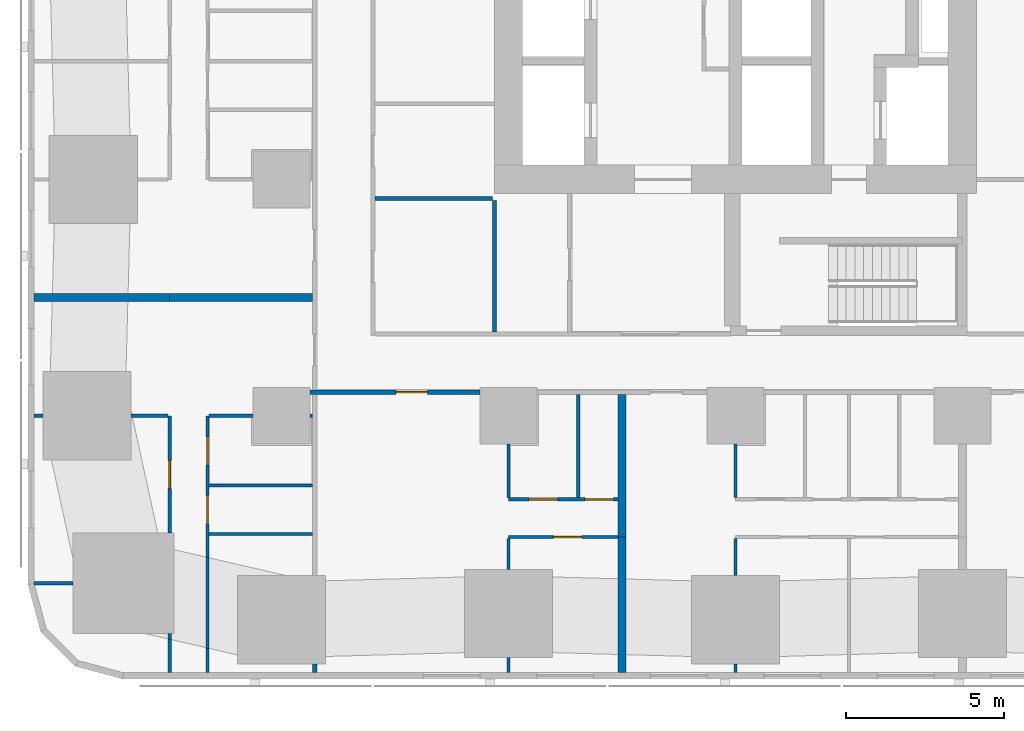
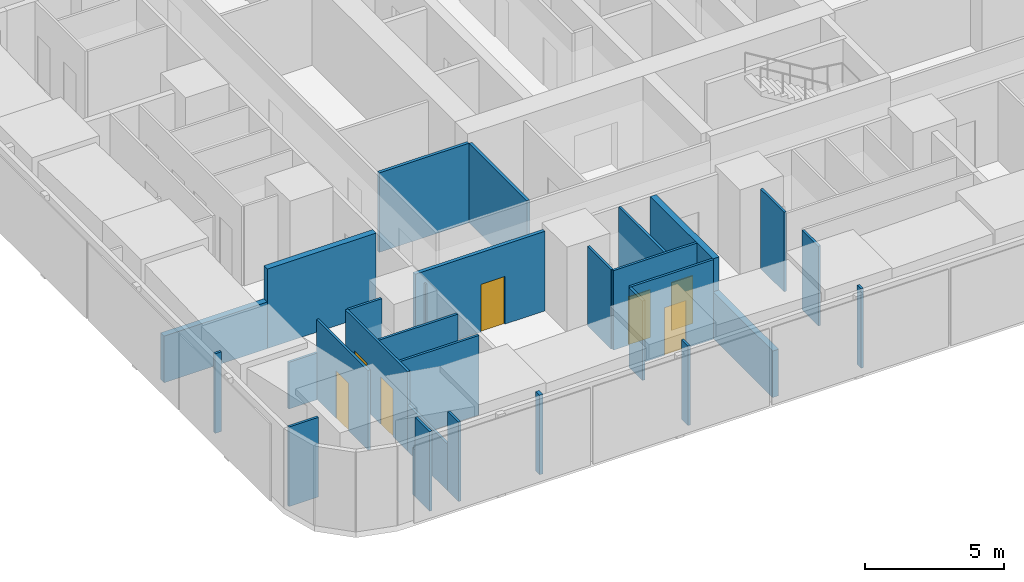
# One storey, part 2 of 16: 30 walls, 7 doors, 7 openings.
"""IFC4 building model written with IfcOpenShell, lengths in metres."""

from ifc_helpers import new_model, si_unit, direction, frame, frame_2d, origin, place, context, subcontext, project, spatial, rectangle, extrude, material, layer, layer_set, type_object, element, fill, save


model = new_model("IFC4")

# Units and contexts
model_context = context("Model", 3, precision=1e-05, world=origin(), true_north=direction((0.0, 1.0)))
body_context = subcontext(model_context, "Body", "Model", "MODEL_VIEW")
ifc_project = project(units=[si_unit("LENGTHUNIT", "METRE"), si_unit("AREAUNIT", "SQUARE_METRE"), si_unit("VOLUMEUNIT", "CUBIC_METRE"), si_unit("PLANEANGLEUNIT", "RADIAN"), si_unit("MASSUNIT", "GRAM", prefix="KILO")], contexts=[model_context])

# Site, building, storey
site_placement = place(None, origin())
site = spatial("IfcSite", under=ifc_project, at=site_placement, CompositionType="ELEMENT")
building_placement = place(site_placement, origin())
building = spatial("IfcBuilding", under=site, at=building_placement, Name="Sheger Commons Tower", CompositionType="ELEMENT")
storey_placement = place(building_placement, frame((0.0, 0.0, 53.75)))
storey = spatial("IfcBuildingStorey", under=building, at=storey_placement, Name="L13", CompositionType="ELEMENT", Elevation=53.75)

# Wall
ifc_material_1 = material(Name="Hollow concrete block masonry, skimmed both sides", Category="masonry")
ifc_layer_1 = layer(ifc_material_1, 0.14990234375)
ifc_layer_set_1 = layer_set([ifc_layer_1], Name="CORRIDOR WALL 150")
wall_type_1 = type_object("IfcWallType", Name="CORRIDOR WALL 150", PredefinedType="SOLIDWALL", material=ifc_layer_set_1)
wall_1_placement = place(storey_placement, frame((8.25, -0.64990234375, 0.0), z_axis=(0.0, 0.0, 1.0), x_axis=(0.0, 1.0, 0.0)))
element("IfcWall", 1, at=wall_1_placement, inside=storey, type_object=wall_type_1, Name="Corridor wall L13", PredefinedType="SOLIDWALL", context=body_context, shape_type="SweptSolid", body=[
    extrude(rectangle(XDim=0.27392578125, YDim=0.14990234375, at=frame_2d((0.136962890625, 0.0))), origin(), (0.0, 0.0, 1.0), 3.5),
])

# Wall, opening, door
wall_2_placement = place(storey_placement, frame((13.4990234375, 8.25, 0.0), z_axis=(0.0, 0.0, 1.0), x_axis=(-1.0, 0.0, 0.0)))
wall_2 = element("IfcWall", 2, at=wall_2_placement, inside=storey, type_object=wall_type_1, Name="Corridor wall L13", PredefinedType="SOLIDWALL", context=body_context, shape_type="SweptSolid", body=[
    extrude(rectangle(XDim=5.39892578125, YDim=0.14990234375, at=frame_2d((2.699462890625, 0.0))), origin(), (0.0, 0.0, 1.0), 3.5),
])
opening_1_placement = place(wall_2_placement, frame((1.674072265625, 0.0, 0.0)))
opening_1 = element("IfcOpeningElement", 3, at=opening_1_placement, cuts=wall_2, Name="Opening D1", PredefinedType="OPENING", context=body_context, shape_type="SweptSolid", body=[
    extrude(rectangle(XDim=1.0, YDim=2.10009765625, at=frame_2d((0.5, 1.050048828125))), frame((0.0, 0.0849609375, 0.0), z_axis=(0.0, -1.0, 0.0), x_axis=(1.0, 0.0, 0.0)), (0.0, 0.0, 1.0), 0.169921875),
])
ifc_material_2 = material(Name="Steel door set, fire rated", Category="steel")
door_type_1 = type_object("IfcDoorType", Name="FLAT ENTRANCE DOOR 1000x2100", OperationType="NOTDEFINED", PredefinedType="DOOR", material=ifc_material_2)
door_1_placement = place(opening_1_placement, origin())
door_1 = element("IfcDoor", 4, at=door_1_placement, inside=storey, type_object=door_type_1, Name="Flat entrance door", OperationType="SINGLE_SWING_RIGHT", OverallHeight=2.10009765625, OverallWidth=1.0, PredefinedType="DOOR", context=body_context, shape_type="SweptSolid", body=[
    extrude(rectangle(XDim=1.0, YDim=2.10009765625, at=frame_2d((0.5, 1.050048828125))), frame((0.0, 0.02490234375, 0.0), z_axis=(0.0, -1.0, 0.0), x_axis=(1.0, 0.0, 0.0)), (0.0, 0.0, 1.0), 0.050048828125),
])
fill(opening_1, door_1)

# Walls
ifc_material_3 = material(Name="Dense concrete block masonry, plastered both sides (separating wall between flats)", Category="masonry")
ifc_layer_2 = layer(ifc_material_3, 0.25)
ifc_layer_set_2 = layer_set([ifc_layer_2], Name="DEMISING WALL 250")
wall_type_2 = type_object("IfcWallType", Name="DEMISING WALL 250", PredefinedType="SOLIDWALL", material=ifc_layer_set_2)
wall_3_placement = place(storey_placement, frame((-0.64990234375, 11.25, 0.0), z_axis=(0.0, 0.0, 1.0), x_axis=(1.0, 0.0, 0.0)))
element("IfcWall", 5, at=wall_3_placement, inside=storey, type_object=wall_type_2, Name="Demising wall L13", PredefinedType="SOLIDWALL", context=body_context, shape_type="SweptSolid", body=[
    extrude(rectangle(XDim=4.2998046875, YDim=0.25, at=frame_2d((2.14990234375, 0.0))), origin(), (0.0, 0.0, 1.0), 2.050048828125),
])
wall_4_placement = place(storey_placement, frame((3.64990234375, 11.25, 0.0), z_axis=(0.0, 0.0, 1.0), x_axis=(1.0, 0.0, 0.0)))
element("IfcWall", 6, at=wall_4_placement, inside=storey, type_object=wall_type_2, Name="Demising wall L13", PredefinedType="SOLIDWALL", context=body_context, shape_type="SweptSolid", body=[
    extrude(rectangle(XDim=4.525146484375, YDim=0.25, at=frame_2d((2.2626953125, 0.0))), origin(), (0.0, 0.0, 1.0), 3.5),
])
wall_5_placement = place(storey_placement, frame((18.0, -0.64990234375, 0.0), z_axis=(0.0, 0.0, 1.0), x_axis=(0.0, 1.0, 0.0)))
element("IfcWall", 7, at=wall_5_placement, inside=storey, type_object=wall_type_2, Name="Demising wall L13", PredefinedType="SOLIDWALL", context=body_context, shape_type="SweptSolid", body=[
    extrude(rectangle(XDim=4.2998046875, YDim=0.25, at=frame_2d((2.14990234375, 0.0))), origin(), (0.0, 0.0, 1.0), 2.050048828125),
])
wall_6_placement = place(storey_placement, frame((18.0, 3.64990234375, 0.0), z_axis=(0.0, 0.0, 1.0), x_axis=(0.0, 1.0, 0.0)))
element("IfcWall", 8, at=wall_6_placement, inside=storey, type_object=wall_type_2, Name="Demising wall L13", PredefinedType="SOLIDWALL", context=body_context, shape_type="SweptSolid", body=[
    extrude(rectangle(XDim=4.525146484375, YDim=0.25, at=frame_2d((2.2626953125, 0.0))), origin(), (0.0, 0.0, 1.0), 3.5),
])
ifc_material_4 = material(Name="Gypsum board on steel studs", Category="steel")
ifc_layer_3 = layer(ifc_material_4, 0.10009765625)
ifc_layer_set_3 = layer_set([ifc_layer_3], Name="PARTITION 100")
wall_type_3 = type_object("IfcWallType", Name="PARTITION 100", PredefinedType="PARTITIONING", material=ifc_layer_set_3)
wall_7_placement = place(storey_placement, frame((3.64990234375, -0.64990234375, 0.0), z_axis=(0.0, 0.0, 1.0), x_axis=(0.0, 1.0, 0.0)))
element("IfcWall", 9, at=wall_7_placement, inside=storey, type_object=wall_type_3, Name="Partition L13", PredefinedType="PARTITIONING", context=body_context, shape_type="SweptSolid", body=[
    extrude(rectangle(XDim=1.0478515625, YDim=0.10009765625, at=frame_2d((0.52392578125, 0.0))), origin(), (0.0, 0.0, 1.0), 3.5),
])
wall_8_placement = place(storey_placement, frame((3.64990234375, 0.39794921875, 0.0), z_axis=(0.0, 0.0, 1.0), x_axis=(0.0, 1.0, 0.0)))
element("IfcWall", 10, at=wall_8_placement, inside=storey, type_object=wall_type_3, Name="Partition L13", PredefinedType="PARTITIONING", context=body_context, shape_type="SweptSolid", body=[
    extrude(rectangle(XDim=0.18701171875, YDim=0.10009765625, at=frame_2d((0.093505859375, 0.0))), origin(), (0.0, 0.0, 1.0), 2.050048828125),
])

# Wall, opening, door
wall_9_placement = place(storey_placement, frame((3.64990234375, 3.787109375, 0.0), z_axis=(0.0, 0.0, 1.0), x_axis=(0.0, 1.0, 0.0)))
wall_9 = element("IfcWall", 11, at=wall_9_placement, inside=storey, type_object=wall_type_3, Name="Partition L13", PredefinedType="PARTITIONING", context=body_context, shape_type="SweptSolid", body=[
    extrude(rectangle(XDim=3.712890625, YDim=0.10009765625, at=frame_2d((1.8564453125, 0.0))), origin(), (0.0, 0.0, 1.0), 3.5),
])
opening_2_placement = place(wall_9_placement, frame((1.39990234375, 0.0, 0.0)))
opening_2 = element("IfcOpeningElement", 12, at=opening_2_placement, cuts=wall_9, Name="Opening D2", PredefinedType="OPENING", context=body_context, shape_type="SweptSolid", body=[
    extrude(rectangle(XDim=0.89990234375, YDim=2.10009765625, at=frame_2d((0.449951171875, 1.050048828125))), frame((0.0, 0.06005859375, 0.0), z_axis=(0.0, -1.0, 0.0), x_axis=(1.0, 0.0, 0.0)), (0.0, 0.0, 1.0), 0.1201171875),
])
ifc_material_5 = material(Name="Timber door set", Category="wood")
door_type_2 = type_object("IfcDoorType", Name="INTERNAL DOOR 900x2100", OperationType="NOTDEFINED", PredefinedType="DOOR", material=ifc_material_5)
door_2_placement = place(opening_2_placement, origin())
door_2 = element("IfcDoor", 13, at=door_2_placement, inside=storey, type_object=door_type_2, Name="Main bedroom door", OperationType="SINGLE_SWING_RIGHT", OverallHeight=2.10009765625, OverallWidth=0.89990234375, PredefinedType="DOOR", context=body_context, shape_type="SweptSolid", body=[
    extrude(rectangle(XDim=0.89990234375, YDim=2.10009765625, at=frame_2d((0.449951171875, 1.050048828125))), frame((0.0, 0.02490234375, 0.0), z_axis=(0.0, -1.0, 0.0), x_axis=(1.0, 0.0, 0.0)), (0.0, 0.0, 1.0), 0.050048828125),
])
fill(opening_2, door_2)

# Walls
wall_10_placement = place(storey_placement, frame((4.85009765625, -0.64990234375, 0.0), z_axis=(0.0, 0.0, 1.0), x_axis=(0.0, 1.0, 0.0)))
element("IfcWall", 14, at=wall_10_placement, inside=storey, type_object=wall_type_3, Name="Partition L13", PredefinedType="PARTITIONING", context=body_context, shape_type="SweptSolid", body=[
    extrude(rectangle(XDim=0.77099609375, YDim=0.10009765625, at=frame_2d((0.385498046875, 0.0))), origin(), (0.0, 0.0, 1.0), 3.5),
])
wall_11_placement = place(storey_placement, frame((4.85009765625, 0.12109375, 0.0), z_axis=(0.0, 0.0, 1.0), x_axis=(0.0, 1.0, 0.0)))
element("IfcWall", 15, at=wall_11_placement, inside=storey, type_object=wall_type_3, Name="Partition L13", PredefinedType="PARTITIONING", context=body_context, shape_type="SweptSolid", body=[
    extrude(rectangle(XDim=2.89697265625, YDim=0.10009765625, at=frame_2d((1.448486328125, 0.0))), origin(), (0.0, 0.0, 1.0), 2.050048828125),
])

# Wall, openings, doors
wall_12_placement = place(storey_placement, frame((4.85009765625, 3.01806640625, 0.0), z_axis=(0.0, 0.0, 1.0), x_axis=(0.0, 1.0, 0.0)))
wall_12 = element("IfcWall", 16, at=wall_12_placement, inside=storey, type_object=wall_type_3, Name="Partition L13", PredefinedType="PARTITIONING", context=body_context, shape_type="SweptSolid", body=[
    extrude(rectangle(XDim=4.48193359375, YDim=0.10009765625, at=frame_2d((2.240966796875, 0.0))), origin(), (0.0, 0.0, 1.0), 3.5),
])
opening_3_placement = place(wall_12_placement, frame((2.927001953125, 0.0, 0.0)))
opening_3 = element("IfcOpeningElement", 17, at=opening_3_placement, cuts=wall_12, Name="Opening D2", PredefinedType="OPENING", context=body_context, shape_type="SweptSolid", body=[
    extrude(rectangle(XDim=0.89990234375, YDim=2.10009765625, at=frame_2d((0.449951171875, 1.050048828125))), frame((0.0, 0.06005859375, 0.0), z_axis=(0.0, -1.0, 0.0), x_axis=(1.0, 0.0, 0.0)), (0.0, 0.0, 1.0), 0.1201171875),
])
opening_4_placement = place(wall_12_placement, frame((1.052001953125, 0.0, 0.0)))
opening_4 = element("IfcOpeningElement", 18, at=opening_4_placement, cuts=wall_12, Name="Opening D2", PredefinedType="OPENING", context=body_context, shape_type="SweptSolid", body=[
    extrude(rectangle(XDim=0.89990234375, YDim=2.10009765625, at=frame_2d((0.449951171875, 1.050048828125))), frame((0.0, 0.06005859375, 0.0), z_axis=(0.0, -1.0, 0.0), x_axis=(1.0, 0.0, 0.0)), (0.0, 0.0, 1.0), 0.1201171875),
])
door_3_placement = place(opening_3_placement, origin())
door_3 = element("IfcDoor", 19, at=door_3_placement, inside=storey, type_object=door_type_2, Name="Bathroom door", OperationType="SINGLE_SWING_LEFT", OverallHeight=2.10009765625, OverallWidth=0.89990234375, PredefinedType="DOOR", context=body_context, shape_type="SweptSolid", body=[
    extrude(rectangle(XDim=0.89990234375, YDim=2.10009765625, at=frame_2d((0.449951171875, 1.050048828125))), frame((0.0, 0.02490234375, 0.0), z_axis=(0.0, -1.0, 0.0), x_axis=(1.0, 0.0, 0.0)), (0.0, 0.0, 1.0), 0.050048828125),
])
fill(opening_3, door_3)
door_4_placement = place(opening_4_placement, origin())
door_4 = element("IfcDoor", 20, at=door_4_placement, inside=storey, type_object=door_type_2, Name="Store door", OperationType="SINGLE_SWING_RIGHT", OverallHeight=2.10009765625, OverallWidth=0.89990234375, PredefinedType="DOOR", context=body_context, shape_type="SweptSolid", body=[
    extrude(rectangle(XDim=0.89990234375, YDim=2.10009765625, at=frame_2d((0.449951171875, 1.050048828125))), frame((0.0, 0.02490234375, 0.0), z_axis=(0.0, -1.0, 0.0), x_axis=(1.0, 0.0, 0.0)), (0.0, 0.0, 1.0), 0.050048828125),
])
fill(opening_4, door_4)

# Walls
wall_13_placement = place(storey_placement, frame((-0.64990234375, 2.18603515625, 0.0), z_axis=(0.0, 0.0, 1.0), x_axis=(1.0, 0.0, 0.0)))
element("IfcWall", 21, at=wall_13_placement, inside=storey, type_object=wall_type_3, Name="Partition L13", PredefinedType="PARTITIONING", context=body_context, shape_type="SweptSolid", body=[
    extrude(rectangle(XDim=1.23486328125, YDim=0.10009765625, at=frame_2d((0.617431640625, 0.0))), origin(), (0.0, 0.0, 1.0), 3.5),
])
wall_14_placement = place(storey_placement, frame((-0.64990234375, 7.5, 0.0), z_axis=(0.0, 0.0, 1.0), x_axis=(1.0, 0.0, 0.0)))
element("IfcWall", 22, at=wall_14_placement, inside=storey, type_object=wall_type_3, Name="Partition L13", PredefinedType="PARTITIONING", context=body_context, shape_type="SweptSolid", body=[
    extrude(rectangle(XDim=0.27392578125, YDim=0.10009765625, at=frame_2d((0.136962890625, 0.0))), origin(), (0.0, 0.0, 1.0), 3.5),
])
wall_15_placement = place(storey_placement, frame((2.426025390625, 7.5, 0.0), z_axis=(0.0, 0.0, 1.0), x_axis=(1.0, 0.0, 0.0)))
element("IfcWall", 23, at=wall_15_placement, inside=storey, type_object=wall_type_3, Name="Partition L13", PredefinedType="PARTITIONING", context=body_context, shape_type="SweptSolid", body=[
    extrude(rectangle(XDim=1.174072265625, YDim=0.10009765625, at=frame_2d((0.5869140625, 0.0))), origin(), (0.0, 0.0, 1.0), 2.050048828125),
])
wall_16_placement = place(storey_placement, frame((4.89990234375, 3.75, 0.0), z_axis=(0.0, 0.0, 1.0), x_axis=(1.0, 0.0, 0.0)))
element("IfcWall", 24, at=wall_16_placement, inside=storey, type_object=wall_type_3, Name="Partition L13", PredefinedType="PARTITIONING", context=body_context, shape_type="SweptSolid", body=[
    extrude(rectangle(XDim=3.275146484375, YDim=0.10009765625, at=frame_2d((1.6376953125, 0.0))), origin(), (0.0, 0.0, 1.0), 3.5),
])
wall_17_placement = place(storey_placement, frame((4.89990234375, 7.5, 0.0), z_axis=(0.0, 0.0, 1.0), x_axis=(1.0, 0.0, 0.0)))
element("IfcWall", 25, at=wall_17_placement, inside=storey, type_object=wall_type_3, Name="Partition L13", PredefinedType="PARTITIONING", context=body_context, shape_type="SweptSolid", body=[
    extrude(rectangle(XDim=1.399169921875, YDim=0.10009765625, at=frame_2d((0.69970703125, 0.0))), origin(), (0.0, 0.0, 1.0), 3.5),
])
wall_18_placement = place(storey_placement, frame((8.10107421875, 7.5, 0.0), z_axis=(0.0, 0.0, 1.0), x_axis=(1.0, 0.0, 0.0)))
element("IfcWall", 26, at=wall_18_placement, inside=storey, type_object=wall_type_3, Name="Partition L13", PredefinedType="PARTITIONING", context=body_context, shape_type="SweptSolid", body=[
    extrude(rectangle(XDim=0.073974609375, YDim=0.10009765625, at=frame_2d((0.037109375, 0.0))), origin(), (0.0, 0.0, 1.0), 3.5),
])
wall_19_placement = place(storey_placement, frame((4.89990234375, 5.2900390625, 0.0), z_axis=(0.0, 0.0, 1.0), x_axis=(1.0, 0.0, 0.0)))
element("IfcWall", 27, at=wall_19_placement, inside=storey, type_object=wall_type_3, Name="Partition L13", PredefinedType="PARTITIONING", context=body_context, shape_type="SweptSolid", body=[
    extrude(rectangle(XDim=3.275146484375, YDim=0.10009765625, at=frame_2d((1.6376953125, 0.0))), origin(), (0.0, 0.0, 1.0), 3.5),
])

# Wall, opening, door
wall_20_placement = place(storey_placement, frame((17.875, 3.64990234375, 0.0), z_axis=(0.0, 0.0, 1.0), x_axis=(-1.0, 0.0, 0.0)))
wall_20 = element("IfcWall", 28, at=wall_20_placement, inside=storey, type_object=wall_type_3, Name="Partition L13", PredefinedType="PARTITIONING", context=body_context, shape_type="SweptSolid", body=[
    extrude(rectangle(XDim=3.47509765625, YDim=0.10009765625, at=frame_2d((1.737548828125, 0.0))), origin(), (0.0, 0.0, 1.0), 3.5),
])
opening_5_placement = place(wall_20_placement, frame((1.14990234375, 0.0, 0.0)))
opening_5 = element("IfcOpeningElement", 29, at=opening_5_placement, cuts=wall_20, Name="Opening D2", PredefinedType="OPENING", context=body_context, shape_type="SweptSolid", body=[
    extrude(rectangle(XDim=0.89990234375, YDim=2.10009765625, at=frame_2d((0.449951171875, 1.050048828125))), frame((0.0, 0.06005859375, 0.0), z_axis=(0.0, -1.0, 0.0), x_axis=(1.0, 0.0, 0.0)), (0.0, 0.0, 1.0), 0.1201171875),
])
door_5_placement = place(opening_5_placement, origin())
door_5 = element("IfcDoor", 30, at=door_5_placement, inside=storey, type_object=door_type_2, Name="Main bedroom door", OperationType="SINGLE_SWING_LEFT", OverallHeight=2.10009765625, OverallWidth=0.89990234375, PredefinedType="DOOR", context=body_context, shape_type="SweptSolid", body=[
    extrude(rectangle(XDim=0.89990234375, YDim=2.10009765625, at=frame_2d((0.449951171875, 1.050048828125))), frame((0.0, 0.02490234375, 0.0), z_axis=(0.0, -1.0, 0.0), x_axis=(1.0, 0.0, 0.0)), (0.0, 0.0, 1.0), 0.050048828125),
])
fill(opening_5, door_5)

# Wall, openings, doors
wall_21_placement = place(storey_placement, frame((17.875, 4.85009765625, 0.0), z_axis=(0.0, 0.0, 1.0), x_axis=(-1.0, 0.0, 0.0)))
wall_21 = element("IfcWall", 31, at=wall_21_placement, inside=storey, type_object=wall_type_3, Name="Partition L13", PredefinedType="PARTITIONING", context=body_context, shape_type="SweptSolid", body=[
    extrude(rectangle(XDim=3.47509765625, YDim=0.10009765625, at=frame_2d((1.737548828125, 0.0))), origin(), (0.0, 0.0, 1.0), 3.5),
])
opening_6_placement = place(wall_21_placement, frame((1.919921875, 0.0, 0.0)))
opening_6 = element("IfcOpeningElement", 32, at=opening_6_placement, cuts=wall_21, Name="Opening D2", PredefinedType="OPENING", context=body_context, shape_type="SweptSolid", body=[
    extrude(rectangle(XDim=0.89990234375, YDim=2.10009765625, at=frame_2d((0.449951171875, 1.050048828125))), frame((0.0, 0.06005859375, 0.0), z_axis=(0.0, -1.0, 0.0), x_axis=(1.0, 0.0, 0.0)), (0.0, 0.0, 1.0), 0.1201171875),
])
opening_7_placement = place(wall_21_placement, frame((0.14990234375, 0.0, 0.0)))
opening_7 = element("IfcOpeningElement", 33, at=opening_7_placement, cuts=wall_21, Name="Opening D2", PredefinedType="OPENING", context=body_context, shape_type="SweptSolid", body=[
    extrude(rectangle(XDim=0.89990234375, YDim=2.10009765625, at=frame_2d((0.449951171875, 1.050048828125))), frame((0.0, 0.06005859375, 0.0), z_axis=(0.0, -1.0, 0.0), x_axis=(1.0, 0.0, 0.0)), (0.0, 0.0, 1.0), 0.1201171875),
])
door_6_placement = place(opening_6_placement, origin())
door_6 = element("IfcDoor", 34, at=door_6_placement, inside=storey, type_object=door_type_2, Name="Bathroom door", OperationType="SINGLE_SWING_LEFT", OverallHeight=2.10009765625, OverallWidth=0.89990234375, PredefinedType="DOOR", context=body_context, shape_type="SweptSolid", body=[
    extrude(rectangle(XDim=0.89990234375, YDim=2.10009765625, at=frame_2d((0.449951171875, 1.050048828125))), frame((0.0, 0.02490234375, 0.0), z_axis=(0.0, -1.0, 0.0), x_axis=(1.0, 0.0, 0.0)), (0.0, 0.0, 1.0), 0.050048828125),
])
fill(opening_6, door_6)
door_7_placement = place(opening_7_placement, origin())
door_7 = element("IfcDoor", 35, at=door_7_placement, inside=storey, type_object=door_type_2, Name="Store door", OperationType="SINGLE_SWING_RIGHT", OverallHeight=2.10009765625, OverallWidth=0.89990234375, PredefinedType="DOOR", context=body_context, shape_type="SweptSolid", body=[
    extrude(rectangle(XDim=0.89990234375, YDim=2.10009765625, at=frame_2d((0.449951171875, 1.050048828125))), frame((0.0, 0.02490234375, 0.0), z_axis=(0.0, -1.0, 0.0), x_axis=(1.0, 0.0, 0.0)), (0.0, 0.0, 1.0), 0.050048828125),
])
fill(opening_7, door_7)

# Walls
wall_22_placement = place(storey_placement, frame((14.39990234375, -0.64990234375, 0.0), z_axis=(0.0, 0.0, 1.0), x_axis=(0.0, 1.0, 0.0)))
element("IfcWall", 36, at=wall_22_placement, inside=storey, type_object=wall_type_3, Name="Partition L13", PredefinedType="PARTITIONING", context=body_context, shape_type="SweptSolid", body=[
    extrude(rectangle(XDim=0.473876953125, YDim=0.10009765625, at=frame_2d((0.23681640625, 0.0))), origin(), (0.0, 0.0, 1.0), 3.5),
])
wall_23_placement = place(storey_placement, frame((14.39990234375, 2.6259765625, 0.0), z_axis=(0.0, 0.0, 1.0), x_axis=(0.0, 1.0, 0.0)))
element("IfcWall", 37, at=wall_23_placement, inside=storey, type_object=wall_type_3, Name="Partition L13", PredefinedType="PARTITIONING", context=body_context, shape_type="SweptSolid", body=[
    extrude(rectangle(XDim=0.97412109375, YDim=0.10009765625, at=frame_2d((0.487060546875, 0.0))), origin(), (0.0, 0.0, 1.0), 3.5),
])
wall_24_placement = place(storey_placement, frame((14.39990234375, 4.89990234375, 0.0), z_axis=(0.0, 0.0, 1.0), x_axis=(0.0, 1.0, 0.0)))
element("IfcWall", 38, at=wall_24_placement, inside=storey, type_object=wall_type_3, Name="Partition L13", PredefinedType="PARTITIONING", context=body_context, shape_type="SweptSolid", body=[
    extrude(rectangle(XDim=1.69921875, YDim=0.10009765625, at=frame_2d((0.849609375, 0.0))), origin(), (0.0, 0.0, 1.0), 3.5),
])
wall_25_placement = place(storey_placement, frame((16.610107421875, 4.89990234375, 0.0), z_axis=(0.0, 0.0, 1.0), x_axis=(0.0, 1.0, 0.0)))
element("IfcWall", 39, at=wall_25_placement, inside=storey, type_object=wall_type_3, Name="Partition L13", PredefinedType="PARTITIONING", context=body_context, shape_type="SweptSolid", body=[
    extrude(rectangle(XDim=3.275146484375, YDim=0.10009765625, at=frame_2d((1.6376953125, 0.0))), origin(), (0.0, 0.0, 1.0), 3.5),
])
wall_26_placement = place(storey_placement, frame((21.60009765625, -0.64990234375, 0.0), z_axis=(0.0, 0.0, 1.0), x_axis=(0.0, 1.0, 0.0)))
element("IfcWall", 40, at=wall_26_placement, inside=storey, type_object=wall_type_3, Name="Partition L13", PredefinedType="PARTITIONING", context=body_context, shape_type="SweptSolid", body=[
    extrude(rectangle(XDim=0.27392578125, YDim=0.10009765625, at=frame_2d((0.136962890625, 0.0))), origin(), (0.0, 0.0, 1.0), 3.5),
])
wall_27_placement = place(storey_placement, frame((21.60009765625, 2.426025390625, 0.0), z_axis=(0.0, 0.0, 1.0), x_axis=(0.0, 1.0, 0.0)))
element("IfcWall", 41, at=wall_27_placement, inside=storey, type_object=wall_type_3, Name="Partition L13", PredefinedType="PARTITIONING", context=body_context, shape_type="SweptSolid", body=[
    extrude(rectangle(XDim=1.174072265625, YDim=0.10009765625, at=frame_2d((0.5869140625, 0.0))), origin(), (0.0, 0.0, 1.0), 3.5),
])
wall_28_placement = place(storey_placement, frame((21.60009765625, 4.89990234375, 0.0), z_axis=(0.0, 0.0, 1.0), x_axis=(0.0, 1.0, 0.0)))
element("IfcWall", 42, at=wall_28_placement, inside=storey, type_object=wall_type_3, Name="Partition L13", PredefinedType="PARTITIONING", context=body_context, shape_type="SweptSolid", body=[
    extrude(rectangle(XDim=1.69921875, YDim=0.10009765625, at=frame_2d((0.849609375, 0.0))), origin(), (0.0, 0.0, 1.0), 3.5),
])
ifc_material_6 = material(Name="Gypsum board on steel studs, two layers each side, fire rated", Category="steel")
ifc_layer_4 = layer(ifc_material_6, 0.125)
ifc_layer_set_4 = layer_set([ifc_layer_4], Name="SERVICE WALL 125")
wall_type_4 = type_object("IfcWallType", Name="SERVICE WALL 125", PredefinedType="PARTITIONING", material=ifc_layer_set_4)
wall_29_placement = place(storey_placement, frame((10.1630859375, 14.39990234375, 0.0), z_axis=(0.0, 0.0, 1.0), x_axis=(1.0, 0.0, 0.0)))
element("IfcWall", 43, at=wall_29_placement, inside=storey, type_object=wall_type_4, Name="Service room wall L13", PredefinedType="PARTITIONING", context=body_context, shape_type="SweptSolid", body=[
    extrude(rectangle(XDim=3.724853515625, YDim=0.125, at=frame_2d((1.8623046875, 0.0))), origin(), (0.0, 0.0, 1.0), 3.5),
])
wall_30_placement = place(storey_placement, frame((13.949951171875, 10.1630859375, 0.0), z_axis=(0.0, 0.0, 1.0), x_axis=(0.0, 1.0, 0.0)))
element("IfcWall", 44, at=wall_30_placement, inside=storey, type_object=wall_type_4, Name="Service room wall L13", PredefinedType="PARTITIONING", context=body_context, shape_type="SweptSolid", body=[
    extrude(rectangle(XDim=4.1748046875, YDim=0.125, at=frame_2d((2.08740234375, 0.0))), origin(), (0.0, 0.0, 1.0), 3.5),
])

save(model, "model.ifc")
